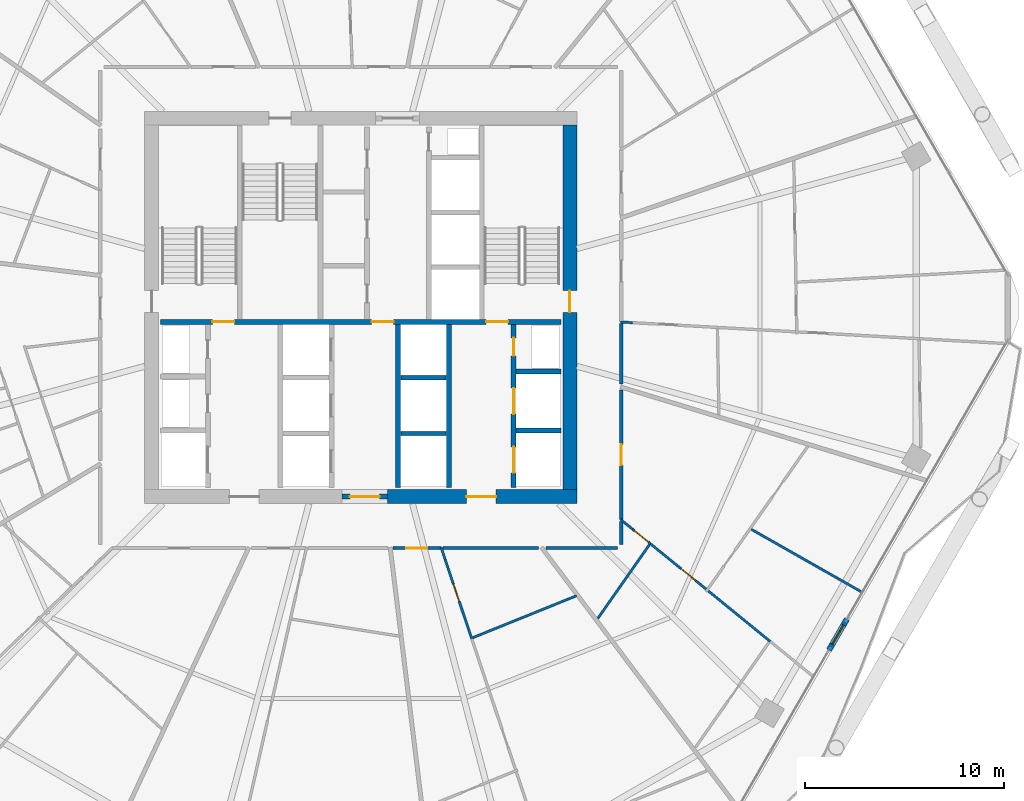
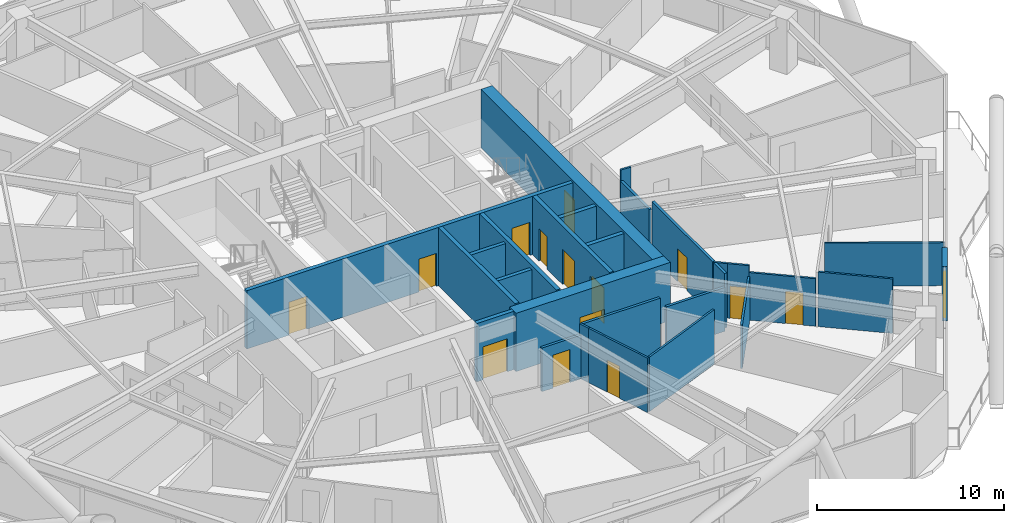
# One storey, part 31 of 36: 28 walls, 15 doors, 15 openings.
"""IFC4 building model written with IfcOpenShell, lengths in metres."""

from ifc_helpers import new_model, si_unit, direction, frame, frame_2d, origin, place, context, subcontext, project, spatial, rectangle, extrude, material, layer, layer_set, type_object, element, fill, save


model = new_model("IFC4")

# Units and contexts
model_context = context("Model", 3, precision=1e-05, world=origin(), true_north=direction((0.0, 1.0)))
body_context = subcontext(model_context, "Body", "Model", "MODEL_VIEW")
ifc_project = project(units=[si_unit("LENGTHUNIT", "METRE"), si_unit("AREAUNIT", "SQUARE_METRE"), si_unit("VOLUMEUNIT", "CUBIC_METRE"), si_unit("PLANEANGLEUNIT", "RADIAN"), si_unit("MASSUNIT", "GRAM", prefix="KILO")], contexts=[model_context])

# Site, building, storey
site_placement = place(None, origin())
site = spatial("IfcSite", under=ifc_project, at=site_placement, CompositionType="ELEMENT")
building_placement = place(site_placement, origin())
building = spatial("IfcBuilding", under=site, at=building_placement, Name="Zuhravey Tower", CompositionType="ELEMENT")
storey_placement = place(building_placement, frame((0.0, 0.0, 107.60009765625)))
storey = spatial("IfcBuildingStorey", under=building, at=storey_placement, Name="L26", CompositionType="ELEMENT", Elevation=107.60009765625)

# Wall, opening, door
ifc_material_1 = material(Name="Concrete C60/75", Category="concrete")
ifc_layer_1 = layer(ifc_material_1, 0.699951171875)
ifc_layer_set_1 = layer_set([ifc_layer_1], Name="Concrete C60/75")
wall_type_1 = type_object("IfcWallType", Name="Core Shear Wall 700", PredefinedType="SHEAR", material=ifc_layer_set_1)
wall_1_placement = place(storey_placement, frame((37.35009765625, 22.5, 0.0), z_axis=(0.0, 0.0, 1.0), x_axis=(1.0, 0.0, 0.0)))
wall_1 = element("IfcWall", 1, at=wall_1_placement, inside=storey, type_object=wall_type_1, Name="L26 South-East Core Shear Wall CW70", PredefinedType="SHEAR", context=body_context, shape_type="SweptSolid", body=[
    extrude(rectangle(XDim=9.5, YDim=0.699951171875, at=frame_2d((4.75, 0.0))), origin(), (0.0, 0.0, 1.0), 3.7998046875),
])
opening_1_placement = place(wall_1_placement, frame((3.949951171875, 0.0, 0.0)))
opening_1 = element("IfcOpeningElement", 2, at=opening_1_placement, cuts=wall_1, Name="Opening FFD1", PredefinedType="OPENING", context=body_context, shape_type="SweptSolid", body=[
    extrude(rectangle(XDim=1.5, YDim=2.14990234375, at=frame_2d((0.75, 1.074951171875))), frame((0.0, 0.362060546875, 0.0), z_axis=(0.0, -1.0, 0.0), x_axis=(1.0, 0.0, 0.0)), (0.0, 0.0, 1.0), 0.723876953125),
])
ifc_material_2 = material(Name="Galvanised fire-rated steel leaf", Category="steel")
door_type_1 = type_object("IfcDoorType", Name="Firefighting Lobby Double Door 1500x2150", OperationType="DOUBLE_DOOR_SINGLE_SWING", PredefinedType="DOOR", material=ifc_material_2)
door_1_placement = place(opening_1_placement, origin())
door_1 = element("IfcDoor", 3, at=door_1_placement, inside=storey, type_object=door_type_1, Name="L26 Firefighting Lobby East Door", OperationType="DOUBLE_DOOR_SINGLE_SWING", OverallHeight=2.14990234375, OverallWidth=1.5, PredefinedType="DOOR", context=body_context, shape_type="SweptSolid", body=[
    extrude(rectangle(XDim=1.5, YDim=2.14990234375, at=frame_2d((0.75, 1.074951171875))), frame((0.0, 0.02490234375, 0.0), z_axis=(0.0, -1.0, 0.0), x_axis=(1.0, 0.0, 0.0)), (0.0, 0.0, 1.0), 0.050048828125),
])
fill(opening_1, door_1)

wall_2_placement = place(storey_placement, frame((46.5, 22.85009765625, 0.0), z_axis=(0.0, 0.0, 1.0), x_axis=(0.0, 1.0, 0.0)))
wall_2 = element("IfcWall", 4, at=wall_2_placement, inside=storey, type_object=wall_type_1, Name="L26 East Core Shear Wall CW70", PredefinedType="SHEAR", context=body_context, shape_type="SweptSolid", body=[
    extrude(rectangle(XDim=18.2998046875, YDim=0.699951171875, at=frame_2d((9.14990234375, 0.0))), origin(), (0.0, 0.0, 1.0), 3.7998046875),
])
opening_2_placement = place(wall_2_placement, frame((8.89990234375, 0.0, 0.0)))
opening_2 = element("IfcOpeningElement", 5, at=opening_2_placement, cuts=wall_2, Name="Opening STD1", PredefinedType="OPENING", context=body_context, shape_type="SweptSolid", body=[
    extrude(rectangle(XDim=1.10009765625, YDim=2.14990234375, at=frame_2d((0.550048828125, 1.074951171875))), frame((0.0, 0.362060546875, 0.0), z_axis=(0.0, -1.0, 0.0), x_axis=(1.0, 0.0, 0.0)), (0.0, 0.0, 1.0), 0.723876953125),
])
door_type_2 = type_object("IfcDoorType", Name="Protected Stair Fire Door 1100x2150", OperationType="NOTDEFINED", PredefinedType="USERDEFINED", material=ifc_material_2)
door_2_placement = place(opening_2_placement, origin())
door_2 = element("IfcDoor", 6, at=door_2_placement, inside=storey, type_object=door_type_2, Name="L26 Stair ST2 Door", ObjectType="EXITDOOR", OperationType="SINGLE_SWING_LEFT", OverallHeight=2.14990234375, OverallWidth=1.10009765625, PredefinedType="USERDEFINED", context=body_context, shape_type="SweptSolid", body=[
    extrude(rectangle(XDim=1.10009765625, YDim=2.14990234375, at=frame_2d((0.550048828125, 1.074951171875))), frame((0.0, 0.02490234375, 0.0), z_axis=(0.0, -1.0, 0.0), x_axis=(1.0, 0.0, 0.0)), (0.0, 0.0, 1.0), 0.050048828125),
])
fill(opening_2, door_2)

ifc_material_3 = material(Name="Gypsum fire-rated stud partition")
ifc_layer_2 = layer(ifc_material_3, 0.159912109375)
ifc_layer_set_2 = layer_set([ifc_layer_2], Name="Gypsum fire-rated stud partition")
wall_type_2 = type_object("IfcWallType", Name="Corridor Fire Partition 160", PredefinedType="PARTITIONING", material=ifc_layer_set_2)
wall_3_placement = place(storey_placement, frame((37.610595703125, 19.919921875, 0.0), z_axis=(0.0, 0.0, 1.0), x_axis=(1.0, 0.0, 0.0)))
wall_3 = element("IfcWall", 7, at=wall_3_placement, inside=storey, type_object=wall_type_2, Name="L26 IW16 Partition 062", PredefinedType="PARTITIONING", context=body_context, shape_type="SweptSolid", body=[
    extrude(rectangle(XDim=2.414794921875, YDim=0.159912109375, at=frame_2d((1.20751953125, 0.0))), origin(), (0.0, 0.0, 1.0), 2.849853515625),
])
opening_3_placement = place(wall_3_placement, frame((0.6826171875, 0.0, 0.0)))
opening_3 = element("IfcOpeningElement", 8, at=opening_3_placement, cuts=wall_3, Name="Opening APD1", PredefinedType="OPENING", context=body_context, shape_type="SweptSolid", body=[
    extrude(rectangle(XDim=1.050048828125, YDim=2.14990234375, at=frame_2d((0.52490234375, 1.074951171875))), frame((0.0, 0.092041015625, 0.0), z_axis=(0.0, -1.0, 0.0), x_axis=(1.0, 0.0, 0.0)), (0.0, 0.0, 1.0), 0.183837890625),
])
ifc_material_4 = material(Name="Solid-core oak fire-rated leaf")
door_type_3 = type_object("IfcDoorType", Name="Apartment Entrance Fire Door 1050x2150", OperationType="NOTDEFINED", PredefinedType="DOOR", material=ifc_material_4)
door_3_placement = place(opening_3_placement, frame((1.050048828125, 0.0, 0.0), z_axis=(0.0, 0.0, 1.0), x_axis=(-1.0, 0.0, 0.0)))
door_3 = element("IfcDoor", 9, at=door_3_placement, inside=storey, type_object=door_type_3, Name="L26 Door 062.1", OperationType="SINGLE_SWING_LEFT", OverallHeight=2.14990234375, OverallWidth=1.050048828125, PredefinedType="DOOR", context=body_context, shape_type="SweptSolid", body=[
    extrude(rectangle(XDim=1.050048828125, YDim=2.14990234375, at=frame_2d((0.52490234375, 1.074951171875))), frame((0.0, 0.02490234375, 0.0), z_axis=(0.0, -1.0, 0.0), x_axis=(1.0, 0.0, 0.0)), (0.0, 0.0, 1.0), 0.050048828125),
])
fill(opening_3, door_3)

wall_4_placement = place(storey_placement, frame((49.080078125, 21.35791015625, 0.0), z_axis=(0.0, 0.0, 1.0), x_axis=(0.0, 1.0, 0.0)))
wall_4 = element("IfcWall", 10, at=wall_4_placement, inside=storey, type_object=wall_type_2, Name="L26 IW16 Partition 068", PredefinedType="PARTITIONING", context=body_context, shape_type="SweptSolid", body=[
    extrude(rectangle(XDim=6.4970703125, YDim=0.159912109375, at=frame_2d((3.24853515625, 0.0))), origin(), (0.0, 0.0, 1.0), 3.5498046875),
])
opening_4_placement = place(wall_4_placement, frame((2.723388671875, 0.0, 0.0)))
opening_4 = element("IfcOpeningElement", 11, at=opening_4_placement, cuts=wall_4, Name="Opening APD1", PredefinedType="OPENING", context=body_context, shape_type="SweptSolid", body=[
    extrude(rectangle(XDim=1.050048828125, YDim=2.14990234375, at=frame_2d((0.52490234375, 1.074951171875))), frame((0.0, 0.092041015625, 0.0), z_axis=(0.0, -1.0, 0.0), x_axis=(1.0, 0.0, 0.0)), (0.0, 0.0, 1.0), 0.183837890625),
])
door_4_placement = place(opening_4_placement, frame((1.050048828125, 0.0, 0.0), z_axis=(0.0, 0.0, 1.0), x_axis=(-1.0, 0.0, 0.0)))
door_4 = element("IfcDoor", 12, at=door_4_placement, inside=storey, type_object=door_type_3, Name="L26 Door 068.1", OperationType="SINGLE_SWING_LEFT", OverallHeight=2.14990234375, OverallWidth=1.050048828125, PredefinedType="DOOR", context=body_context, shape_type="SweptSolid", body=[
    extrude(rectangle(XDim=1.050048828125, YDim=2.14990234375, at=frame_2d((0.52490234375, 1.074951171875))), frame((0.0, 0.02490234375, 0.0), z_axis=(0.0, -1.0, 0.0), x_axis=(1.0, 0.0, 0.0)), (0.0, 0.0, 1.0), 0.050048828125),
])
fill(opening_4, door_4)

# Walls
wall_5_placement = place(storey_placement, frame((40.118408203125, 19.919921875, 0.0), z_axis=(0.0, 0.0, 1.0), x_axis=(1.0, 0.0, 0.0)))
element("IfcWall", 13, at=wall_5_placement, inside=storey, type_object=wall_type_2, Name="L26 IW16 Partition 148", PredefinedType="PARTITIONING", context=body_context, shape_type="SweptSolid", body=[
    extrude(rectangle(XDim=4.79541015625, YDim=0.159912109375, at=frame_2d((2.397705078125, 0.0))), origin(), (0.0, 0.0, 1.0), 3.5498046875),
])
wall_6_placement = place(storey_placement, frame((45.29443359375, 19.919921875, 0.0), z_axis=(0.0, 0.0, 1.0), x_axis=(1.0, 0.0, 0.0)))
element("IfcWall", 14, at=wall_6_placement, inside=storey, type_object=wall_type_2, Name="L26 IW16 Partition 149", PredefinedType="PARTITIONING", context=body_context, shape_type="SweptSolid", body=[
    extrude(rectangle(XDim=3.60546875, YDim=0.159912109375, at=frame_2d((1.802734375, 0.0))), origin(), (0.0, 0.0, 1.0), 2.849853515625),
])
wall_7_placement = place(storey_placement, frame((49.080078125, 20.10009765625, 0.0), z_axis=(0.0, 0.0, 1.0), x_axis=(0.0, 1.0, 0.0)))
element("IfcWall", 15, at=wall_7_placement, inside=storey, type_object=wall_type_2, Name="L26 IW16 Partition 150", PredefinedType="PARTITIONING", context=body_context, shape_type="SweptSolid", body=[
    extrude(rectangle(XDim=1.144287109375, YDim=0.159912109375, at=frame_2d((0.572265625, 0.0))), origin(), (0.0, 0.0, 1.0), 3.5498046875),
])
wall_8_placement = place(storey_placement, frame((49.080078125, 28.146484375, 0.0), z_axis=(0.0, 0.0, 1.0), x_axis=(0.0, 1.0, 0.0)))
element("IfcWall", 16, at=wall_8_placement, inside=storey, type_object=wall_type_2, Name="L26 IW16 Partition 151", PredefinedType="PARTITIONING", context=body_context, shape_type="SweptSolid", body=[
    extrude(rectangle(XDim=3.05419921875, YDim=0.159912109375, at=frame_2d((1.527099609375, 0.0))), origin(), (0.0, 0.0, 1.0), 2.849853515625),
])

# Wall, opening, door
ifc_material_5 = material(Name="Precast concrete C40/50", Category="concrete")
ifc_layer_3 = layer(ifc_material_5, 0.280029296875)
ifc_layer_set_3 = layer_set([ifc_layer_3], Name="Precast concrete C40/50")
wall_type_3 = type_object("IfcWallType", Name="Crown Architectural Wall 280", PredefinedType="SOLIDWALL", material=ifc_layer_set_3)
wall_9_placement = place(storey_placement, frame((60.40478515625, 16.353515625, 0.0), z_axis=(0.0, 0.0, 1.0), x_axis=(-0.499923131819, -0.866069779101, 0.0)))
wall_9 = element("IfcWall", 17, at=wall_9_placement, inside=storey, type_object=wall_type_3, Name="L26 Face 6 Facade Pier EW28-1", PredefinedType="SOLIDWALL", context=body_context, shape_type="SweptSolid", body=[
    extrude(rectangle(XDim=1.790283203125, YDim=0.280029296875, at=frame_2d((0.89501953125, 0.0))), origin(), (0.0, 0.0, 1.0), 3.5498046875),
])
opening_5_placement = place(wall_9_placement, frame((0.344970703125, 0.0, 0.0)))
opening_5 = element("IfcOpeningElement", 18, at=opening_5_placement, cuts=wall_9, Name="Opening BLD1", PredefinedType="OPENING", context=body_context, shape_type="SweptSolid", body=[
    extrude(rectangle(XDim=1.10009765625, YDim=2.199951171875, at=frame_2d((0.550048828125, 1.10009765625))), frame((0.0, 0.152099609375, 0.0), z_axis=(0.0, -1.0, 0.0), x_axis=(1.0, 0.0, 0.0)), (0.0, 0.0, 1.0), 0.303955078125),
])
ifc_material_6 = material(Name="Thermally broken aluminium and low-E glass", Category="aluminium")
door_type_4 = type_object("IfcDoorType", Name="Balcony & Sky-Tray Glazed Door 1100x2200", OperationType="NOTDEFINED", PredefinedType="DOOR", material=ifc_material_6)
door_5_placement = place(opening_5_placement, frame((1.10009765625, 0.0, 0.0), z_axis=(0.0, 0.0, 1.0), x_axis=(-1.0, 0.0, 0.0)))
door_5 = element("IfcDoor", 19, at=door_5_placement, inside=storey, type_object=door_type_4, Name="L26 Face 6 Wave Balcony Door", OperationType="SINGLE_SWING_LEFT", OverallHeight=2.199951171875, OverallWidth=1.10009765625, PredefinedType="DOOR", context=body_context, shape_type="SweptSolid", body=[
    extrude(rectangle(XDim=1.10009765625, YDim=2.199951171875, at=frame_2d((0.550048828125, 1.10009765625))), frame((0.0, 0.02490234375, 0.0), z_axis=(0.0, -1.0, 0.0), x_axis=(1.0, 0.0, 0.0)), (0.0, 0.0, 1.0), 0.050048828125),
])
fill(opening_5, door_5)

ifc_material_7 = material(Name="Concrete C50/60", Category="concrete")
ifc_layer_4 = layer(ifc_material_7, 0.25)
ifc_layer_set_4 = layer_set([ifc_layer_4], Name="Concrete C50/60")
wall_type_4 = type_object("IfcWallType", Name="Firefighting Shaft & Stair Wall 250", PredefinedType="SOLIDWALL", material=ifc_layer_set_4)
wall_10_placement = place(storey_placement, frame((35.06005859375, 22.5, 0.0), z_axis=(0.0, 0.0, 1.0), x_axis=(1.0, 0.0, 0.0)))
wall_10 = element("IfcWall", 20, at=wall_10_placement, inside=storey, type_object=wall_type_4, Name="L26 FW25 Shaft Wall 001", PredefinedType="SOLIDWALL", context=body_context, shape_type="SweptSolid", body=[
    extrude(rectangle(XDim=2.280029296875, YDim=0.25, at=frame_2d((1.14013671875, 0.0))), origin(), (0.0, 0.0, 1.0), 3.7998046875),
])
opening_6_placement = place(wall_10_placement, frame((0.389892578125, 0.0, 0.0)))
opening_6 = element("IfcOpeningElement", 21, at=opening_6_placement, cuts=wall_10, Name="Opening FFD1", PredefinedType="OPENING", context=body_context, shape_type="SweptSolid", body=[
    extrude(rectangle(XDim=1.5, YDim=2.14990234375, at=frame_2d((0.75, 1.074951171875))), frame((0.0, 0.136962890625, 0.0), z_axis=(0.0, -1.0, 0.0), x_axis=(1.0, 0.0, 0.0)), (0.0, 0.0, 1.0), 0.27392578125),
])
door_6_placement = place(opening_6_placement, frame((1.5, 0.0, 0.0), z_axis=(0.0, 0.0, 1.0), x_axis=(-1.0, 0.0, 0.0)))
door_6 = element("IfcDoor", 22, at=door_6_placement, inside=storey, type_object=door_type_1, Name="L26 South Lift Lobby Exit Door", OperationType="DOUBLE_DOOR_SINGLE_SWING", OverallHeight=2.14990234375, OverallWidth=1.5, PredefinedType="DOOR", context=body_context, shape_type="SweptSolid", body=[
    extrude(rectangle(XDim=1.5, YDim=2.14990234375, at=frame_2d((0.75, 1.074951171875))), frame((0.0, 0.02490234375, 0.0), z_axis=(0.0, -1.0, 0.0), x_axis=(1.0, 0.0, 0.0)), (0.0, 0.0, 1.0), 0.050048828125),
])
fill(opening_6, door_6)

# Wall, openings, doors
wall_11_placement = place(storey_placement, frame((25.949951171875, 31.27490234375, 0.0), z_axis=(0.0, 0.0, 1.0), x_axis=(1.0, 0.0, 0.0)))
wall_11 = element("IfcWall", 23, at=wall_11_placement, inside=storey, type_object=wall_type_4, Name="L26 FW25 Shaft Wall 003", PredefinedType="SOLIDWALL", context=body_context, shape_type="SweptSolid", body=[
    extrude(rectangle(XDim=20.10009765625, YDim=0.25, at=frame_2d((10.050048828125, 0.0))), origin(), (0.0, 0.0, 1.0), 3.7998046875),
])
opening_7_placement = place(wall_11_placement, frame((2.60009765625, 0.0, 0.0)))
opening_7 = element("IfcOpeningElement", 24, at=opening_7_placement, cuts=wall_11, Name="Opening STD1", PredefinedType="OPENING", context=body_context, shape_type="SweptSolid", body=[
    extrude(rectangle(XDim=1.10009765625, YDim=2.14990234375, at=frame_2d((0.550048828125, 1.074951171875))), frame((0.0, 0.136962890625, 0.0), z_axis=(0.0, -1.0, 0.0), x_axis=(1.0, 0.0, 0.0)), (0.0, 0.0, 1.0), 0.27392578125),
])
opening_8_placement = place(wall_11_placement, frame((10.60009765625, 0.0, 0.0)))
opening_8 = element("IfcOpeningElement", 25, at=opening_8_placement, cuts=wall_11, Name="Opening STD1", PredefinedType="OPENING", context=body_context, shape_type="SweptSolid", body=[
    extrude(rectangle(XDim=1.10009765625, YDim=2.14990234375, at=frame_2d((0.550048828125, 1.074951171875))), frame((0.0, 0.136962890625, 0.0), z_axis=(0.0, -1.0, 0.0), x_axis=(1.0, 0.0, 0.0)), (0.0, 0.0, 1.0), 0.27392578125),
])
opening_9_placement = place(wall_11_placement, frame((16.35009765625, 0.0, 0.0)))
opening_9 = element("IfcOpeningElement", 26, at=opening_9_placement, cuts=wall_11, Name="Opening STD1", PredefinedType="OPENING", context=body_context, shape_type="SweptSolid", body=[
    extrude(rectangle(XDim=1.10009765625, YDim=2.14990234375, at=frame_2d((0.550048828125, 1.074951171875))), frame((0.0, 0.136962890625, 0.0), z_axis=(0.0, -1.0, 0.0), x_axis=(1.0, 0.0, 0.0)), (0.0, 0.0, 1.0), 0.27392578125),
])
door_7_placement = place(opening_7_placement, origin())
door_7 = element("IfcDoor", 27, at=door_7_placement, inside=storey, type_object=door_type_2, Name="L26 FFL-W to ST1 Door", ObjectType="EXITDOOR", OperationType="SINGLE_SWING_LEFT", OverallHeight=2.14990234375, OverallWidth=1.10009765625, PredefinedType="USERDEFINED", context=body_context, shape_type="SweptSolid", body=[
    extrude(rectangle(XDim=1.10009765625, YDim=2.14990234375, at=frame_2d((0.550048828125, 1.074951171875))), frame((0.0, 0.02490234375, 0.0), z_axis=(0.0, -1.0, 0.0), x_axis=(1.0, 0.0, 0.0)), (0.0, 0.0, 1.0), 0.050048828125),
])
fill(opening_7, door_7)
door_8_placement = place(opening_8_placement, origin())
door_8 = element("IfcDoor", 28, at=door_8_placement, inside=storey, type_object=door_type_2, Name="L26 Core Lobby Link Door", ObjectType="EXITDOOR", OperationType="SINGLE_SWING_RIGHT", OverallHeight=2.14990234375, OverallWidth=1.10009765625, PredefinedType="USERDEFINED", context=body_context, shape_type="SweptSolid", body=[
    extrude(rectangle(XDim=1.10009765625, YDim=2.14990234375, at=frame_2d((0.550048828125, 1.074951171875))), frame((0.0, 0.02490234375, 0.0), z_axis=(0.0, -1.0, 0.0), x_axis=(1.0, 0.0, 0.0)), (0.0, 0.0, 1.0), 0.050048828125),
])
fill(opening_8, door_8)
door_9_placement = place(opening_9_placement, origin())
door_9 = element("IfcDoor", 29, at=door_9_placement, inside=storey, type_object=door_type_2, Name="L26 FFL-E to ST2 Door", ObjectType="EXITDOOR", OperationType="SINGLE_SWING_LEFT", OverallHeight=2.14990234375, OverallWidth=1.10009765625, PredefinedType="USERDEFINED", context=body_context, shape_type="SweptSolid", body=[
    extrude(rectangle(XDim=1.10009765625, YDim=2.14990234375, at=frame_2d((0.550048828125, 1.074951171875))), frame((0.0, 0.02490234375, 0.0), z_axis=(0.0, -1.0, 0.0), x_axis=(1.0, 0.0, 0.0)), (0.0, 0.0, 1.0), 0.050048828125),
])
fill(opening_9, door_9)

# Walls
for number, where, z_axis, x_axis, name in (
    (30, (37.875, 22.949951171875, 0.0), (0.0, 0.0, 1.0), (0.0, 1.0, 0.0), "L26 FW25 Shaft Wall 014"),
    (31, (40.425048828125, 22.949951171875, 0.0), (0.0, 0.0, 1.0), (0.0, 1.0, 0.0), "L26 FW25 Shaft Wall 015"),
):
    element("IfcWall", number, at=place(storey_placement, frame(where, z_axis=z_axis, x_axis=x_axis)), inside=storey, type_object=wall_type_4, Name=name, PredefinedType="SOLIDWALL", context=body_context, shape_type="SweptSolid", body=[
        extrude(rectangle(XDim=8.199951171875, YDim=0.25, at=frame_2d((4.10009765625, 0.0))), origin(), (0.0, 0.0, 1.0), 3.7998046875),
    ])
for number, where, z_axis, x_axis, name in (
    (32, (43.800048828125, 25.824951171875, 0.0), (0.0, 0.0, 1.0), (1.0, 0.0, 0.0), "L26 FW25 Shaft Wall 016"),
    (33, (43.800048828125, 28.77490234375, 0.0), (0.0, 0.0, 1.0), (1.0, 0.0, 0.0), "L26 FW25 Shaft Wall 017"),
):
    element("IfcWall", number, at=place(storey_placement, frame(where, z_axis=z_axis, x_axis=x_axis)), inside=storey, type_object=wall_type_4, Name=name, PredefinedType="SOLIDWALL", context=body_context, shape_type="SweptSolid", body=[
        extrude(rectangle(XDim=2.25, YDim=0.25, at=frame_2d((1.125, 0.0))), origin(), (0.0, 0.0, 1.0), 3.7998046875),
    ])

# Wall, openings, doors
wall_12_placement = place(storey_placement, frame((43.675048828125, 22.949951171875, 0.0), z_axis=(0.0, 0.0, 1.0), x_axis=(0.0, 1.0, 0.0)))
wall_12 = element("IfcWall", 34, at=wall_12_placement, inside=storey, type_object=wall_type_4, Name="L26 FW25 Shaft Wall 018", PredefinedType="SOLIDWALL", context=body_context, shape_type="SweptSolid", body=[
    extrude(rectangle(XDim=8.199951171875, YDim=0.25, at=frame_2d((4.10009765625, 0.0))), origin(), (0.0, 0.0, 1.0), 3.7998046875),
])
opening_10_placement = place(wall_12_placement, frame((0.75, 0.0, 0.0)))
opening_10 = element("IfcOpeningElement", 35, at=opening_10_placement, cuts=wall_12, Name="Opening LD2", PredefinedType="OPENING", context=body_context, shape_type="SweptSolid", body=[
    extrude(rectangle(XDim=1.300048828125, YDim=2.300048828125, at=frame_2d((0.64990234375, 1.14990234375))), frame((0.0, 0.136962890625, 0.0), z_axis=(0.0, -1.0, 0.0), x_axis=(1.0, 0.0, 0.0)), (0.0, 0.0, 1.0), 0.27392578125),
])
opening_11_placement = place(wall_12_placement, frame((3.699951171875, 0.0, 0.0)))
opening_11 = element("IfcOpeningElement", 36, at=opening_11_placement, cuts=wall_12, Name="Opening LD2", PredefinedType="OPENING", context=body_context, shape_type="SweptSolid", body=[
    extrude(rectangle(XDim=1.300048828125, YDim=2.300048828125, at=frame_2d((0.64990234375, 1.14990234375))), frame((0.0, 0.136962890625, 0.0), z_axis=(0.0, -1.0, 0.0), x_axis=(1.0, 0.0, 0.0)), (0.0, 0.0, 1.0), 0.27392578125),
])
opening_12_placement = place(wall_12_placement, frame((6.6201171875, 0.0, 0.0)))
opening_12 = element("IfcOpeningElement", 37, at=opening_12_placement, cuts=wall_12, Name="Opening RSD1", PredefinedType="OPENING", context=body_context, shape_type="SweptSolid", body=[
    extrude(rectangle(XDim=0.89990234375, YDim=2.10009765625, at=frame_2d((0.449951171875, 1.050048828125))), frame((0.0, 0.136962890625, 0.0), z_axis=(0.0, -1.0, 0.0), x_axis=(1.0, 0.0, 0.0)), (0.0, 0.0, 1.0), 0.27392578125),
])
ifc_material_8 = material(Name="Brushed stainless steel", Category="steel")
door_type_5 = type_object("IfcDoorType", Name="Freight & Stretcher Lift Sliding Door 1300x2300", OperationType="DOUBLE_DOOR_SLIDING", PredefinedType="DOOR", material=ifc_material_8)
door_10_placement = place(opening_10_placement, origin())
door_10 = element("IfcDoor", 38, at=door_10_placement, inside=storey, type_object=door_type_5, Name="L26 Lift FF2 Landing Door", OperationType="DOUBLE_DOOR_SLIDING", OverallHeight=2.300048828125, OverallWidth=1.300048828125, PredefinedType="DOOR", context=body_context, shape_type="SweptSolid", body=[
    extrude(rectangle(XDim=1.300048828125, YDim=2.300048828125, at=frame_2d((0.64990234375, 1.14990234375))), frame((0.0, 0.02490234375, 0.0), z_axis=(0.0, -1.0, 0.0), x_axis=(1.0, 0.0, 0.0)), (0.0, 0.0, 1.0), 0.050048828125),
])
fill(opening_10, door_10)
door_11_placement = place(opening_11_placement, origin())
door_11 = element("IfcDoor", 39, at=door_11_placement, inside=storey, type_object=door_type_5, Name="L26 Lift SV1 Landing Door", OperationType="DOUBLE_DOOR_SLIDING", OverallHeight=2.300048828125, OverallWidth=1.300048828125, PredefinedType="DOOR", context=body_context, shape_type="SweptSolid", body=[
    extrude(rectangle(XDim=1.300048828125, YDim=2.300048828125, at=frame_2d((0.64990234375, 1.14990234375))), frame((0.0, 0.02490234375, 0.0), z_axis=(0.0, -1.0, 0.0), x_axis=(1.0, 0.0, 0.0)), (0.0, 0.0, 1.0), 0.050048828125),
])
fill(opening_11, door_11)
ifc_material_9 = material(Name="Galvanised fire-rated steel access leaf", Category="steel")
door_type_6 = type_object("IfcDoorType", Name="Riser & Shaft Access Fire Door 900x2100", OperationType="NOTDEFINED", PredefinedType="DOOR", material=ifc_material_9)
door_12_placement = place(opening_12_placement, origin())
door_12 = element("IfcDoor", 40, at=door_12_placement, inside=storey, type_object=door_type_6, Name="L26 Plumbing Riser Door", OperationType="SINGLE_SWING_RIGHT", OverallHeight=2.10009765625, OverallWidth=0.89990234375, PredefinedType="DOOR", context=body_context, shape_type="SweptSolid", body=[
    extrude(rectangle(XDim=0.89990234375, YDim=2.10009765625, at=frame_2d((0.449951171875, 1.050048828125))), frame((0.0, 0.02490234375, 0.0), z_axis=(0.0, -1.0, 0.0), x_axis=(1.0, 0.0, 0.0)), (0.0, 0.0, 1.0), 0.050048828125),
])
fill(opening_12, door_12)

# Walls
ifc_material_10 = material(Name="Gypsum acoustic stud assembly")
ifc_layer_5 = layer(ifc_material_10, 0.219970703125)
ifc_layer_set_5 = layer_set([ifc_layer_5], Name="Gypsum acoustic stud assembly")
wall_type_5 = type_object("IfcWallType", Name="School Acoustic Compartment Wall 220", PredefinedType="PARTITIONING", material=ifc_layer_set_5)
for number, where, z_axis, x_axis, name in (
    (41, (38.008056640625, 25.675048828125, 0.0), (0.0, 0.0, 1.0), (1.0, 0.0, 0.0), "L26 IW22 Partition 082"),
    (42, (38.008056640625, 28.47509765625, 0.0), (0.0, 0.0, 1.0), (1.0, 0.0, 0.0), "L26 IW22 Partition 083"),
):
    element("IfcWall", number, at=place(storey_placement, frame(where, z_axis=z_axis, x_axis=x_axis)), inside=storey, type_object=wall_type_5, Name=name, PredefinedType="PARTITIONING", context=body_context, shape_type="SweptSolid", body=[
        extrude(rectangle(XDim=2.283935546875, YDim=0.219970703125, at=frame_2d((1.14208984375, 0.0))), origin(), (0.0, 0.0, 1.0), 3.5498046875),
    ])

# Wall, opening, door
ifc_material_11 = material(Name="Gypsum metal-stud partition")
ifc_layer_6 = layer(ifc_material_11, 0.1201171875)
ifc_layer_set_6 = layer_set([ifc_layer_6], Name="Gypsum metal-stud partition")
wall_type_6 = type_object("IfcWallType", Name="Unit Internal Partition 120", PredefinedType="PARTITIONING", material=ifc_layer_set_6)
wall_13_placement = place(storey_placement, frame((40.237548828125, 19.35009765625, 0.0), z_axis=(0.0, 0.0, 1.0), x_axis=(0.317607066426, -0.948222416607, 0.0)))
wall_13 = element("IfcWall", 43, at=wall_13_placement, inside=storey, type_object=wall_type_6, Name="L26 IW12 Partition 058", PredefinedType="PARTITIONING", context=body_context, shape_type="SweptSolid", body=[
    extrude(rectangle(XDim=4.19384765625, YDim=0.1201171875, at=frame_2d((2.096923828125, 0.0))), origin(), (0.0, 0.0, 1.0), 3.5498046875),
])
opening_13_placement = place(wall_13_placement, frame((1.311279296875, 0.0, 0.0)))
opening_13 = element("IfcOpeningElement", 44, at=opening_13_placement, cuts=wall_13, Name="Opening WCD1", PredefinedType="OPENING", context=body_context, shape_type="SweptSolid", body=[
    extrude(rectangle(XDim=0.89990234375, YDim=2.10009765625, at=frame_2d((0.449951171875, 1.050048828125))), frame((0.0, 0.072021484375, 0.0), z_axis=(0.0, -1.0, 0.0), x_axis=(1.0, 0.0, 0.0)), (0.0, 0.0, 1.0), 0.14404296875),
])
ifc_material_12 = material(Name="Moisture-resistant timber leaf", Category="wood")
door_type_7 = type_object("IfcDoorType", Name="Bathroom & WC Internal Door 900x2100", OperationType="NOTDEFINED", PredefinedType="DOOR", material=ifc_material_12)
door_13_placement = place(opening_13_placement, origin())
door_13 = element("IfcDoor", 45, at=door_13_placement, inside=storey, type_object=door_type_7, Name="Apartment L26-09 Bathroom Door", OperationType="SINGLE_SWING_RIGHT", OverallHeight=2.10009765625, OverallWidth=0.89990234375, PredefinedType="DOOR", context=body_context, shape_type="SweptSolid", body=[
    extrude(rectangle(XDim=0.89990234375, YDim=2.10009765625, at=frame_2d((0.449951171875, 1.050048828125))), frame((0.0, 0.02490234375, 0.0), z_axis=(0.0, -1.0, 0.0), x_axis=(1.0, 0.0, 0.0)), (0.0, 0.0, 1.0), 0.050048828125),
])
fill(opening_13, door_13)

wall_14_placement = place(storey_placement, frame((49.64990234375, 20.8671875, 0.0), z_axis=(0.0, 0.0, 1.0), x_axis=(0.775048691625, -0.631901515752, 0.0)))
wall_14 = element("IfcWall", 46, at=wall_14_placement, inside=storey, type_object=wall_type_6, Name="L26 IW12 Partition 064", PredefinedType="PARTITIONING", context=body_context, shape_type="SweptSolid", body=[
    extrude(rectangle(XDim=1.164794921875, YDim=0.1201171875, at=frame_2d((0.58251953125, 0.0))), origin(), (0.0, 0.0, 1.0), 3.5498046875),
])
opening_14_placement = place(wall_14_placement, frame((0.1201171875, 0.0, 0.0)))
opening_14 = element("IfcOpeningElement", 47, at=opening_14_placement, cuts=wall_14, Name="Opening WCD1", PredefinedType="OPENING", context=body_context, shape_type="SweptSolid", body=[
    extrude(rectangle(XDim=0.89990234375, YDim=2.10009765625, at=frame_2d((0.449951171875, 1.050048828125))), frame((0.0, 0.072021484375, 0.0), z_axis=(0.0, -1.0, 0.0), x_axis=(1.0, 0.0, 0.0)), (0.0, 0.0, 1.0), 0.14404296875),
])
door_14_placement = place(opening_14_placement, frame((0.89990234375, 0.0, 0.0), z_axis=(0.0, 0.0, 1.0), x_axis=(-1.0, 0.0, 0.0)))
door_14 = element("IfcDoor", 48, at=door_14_placement, inside=storey, type_object=door_type_7, Name="Apartment L26-10 Bathroom Door", OperationType="SINGLE_SWING_RIGHT", OverallHeight=2.10009765625, OverallWidth=0.89990234375, PredefinedType="DOOR", context=body_context, shape_type="SweptSolid", body=[
    extrude(rectangle(XDim=0.89990234375, YDim=2.10009765625, at=frame_2d((0.449951171875, 1.050048828125))), frame((0.0, 0.02490234375, 0.0), z_axis=(0.0, -1.0, 0.0), x_axis=(1.0, 0.0, 0.0)), (0.0, 0.0, 1.0), 0.050048828125),
])
fill(opening_14, door_14)

wall_15_placement = place(storey_placement, frame((50.552734375, 20.131103515625, 0.0), z_axis=(0.0, 0.0, 1.0), x_axis=(0.7749603795, -0.632009818124, 0.0)))
wall_15 = element("IfcWall", 49, at=wall_15_placement, inside=storey, type_object=wall_type_6, Name="L26 IW12 Partition 065", PredefinedType="PARTITIONING", context=body_context, shape_type="SweptSolid", body=[
    extrude(rectangle(XDim=3.5966796875, YDim=0.1201171875, at=frame_2d((1.79833984375, 0.0))), origin(), (0.0, 0.0, 1.0), 3.099853515625),
])
opening_15_placement = place(wall_15_placement, frame((1.97119140625, 0.0, 0.0)))
opening_15 = element("IfcOpeningElement", 50, at=opening_15_placement, cuts=wall_15, Name="Opening IND1", PredefinedType="OPENING", context=body_context, shape_type="SweptSolid", body=[
    extrude(rectangle(XDim=0.949951171875, YDim=2.10009765625, at=frame_2d((0.47509765625, 1.050048828125))), frame((0.0, 0.072021484375, 0.0), z_axis=(0.0, -1.0, 0.0), x_axis=(1.0, 0.0, 0.0)), (0.0, 0.0, 1.0), 0.14404296875),
])
ifc_material_13 = material(Name="Painted engineered timber leaf", Category="wood")
door_type_8 = type_object("IfcDoorType", Name="Internal Room & Bedroom Door 950x2100", OperationType="NOTDEFINED", PredefinedType="DOOR", material=ifc_material_13)
door_15_placement = place(opening_15_placement, frame((0.949951171875, 0.0, 0.0), z_axis=(0.0, 0.0, 1.0), x_axis=(-1.0, 0.0, 0.0)))
door_15 = element("IfcDoor", 51, at=door_15_placement, inside=storey, type_object=door_type_8, Name="Apartment L26-10 Home Office Door", OperationType="SINGLE_SWING_LEFT", OverallHeight=2.10009765625, OverallWidth=0.949951171875, PredefinedType="DOOR", context=body_context, shape_type="SweptSolid", body=[
    extrude(rectangle(XDim=0.949951171875, YDim=2.10009765625, at=frame_2d((0.47509765625, 1.050048828125))), frame((0.0, 0.02490234375, 0.0), z_axis=(0.0, -1.0, 0.0), x_axis=(1.0, 0.0, 0.0)), (0.0, 0.0, 1.0), 0.050048828125),
])
fill(opening_15, door_15)

# Walls
wall_16_placement = place(storey_placement, frame((53.44580078125, 17.771484375, 0.0), z_axis=(0.0, 0.0, 1.0), x_axis=(0.774958236323, -0.632012446045, 0.0)))
element("IfcWall", 52, at=wall_16_placement, inside=storey, type_object=wall_type_6, Name="L26 IW12 Partition 066", PredefinedType="PARTITIONING", context=body_context, shape_type="SweptSolid", body=[
    extrude(rectangle(XDim=4.01708984375, YDim=0.1201171875, at=frame_2d((2.008544921875, 0.0))), origin(), (0.0, 0.0, 1.0), 3.5498046875),
])
wall_17_placement = place(storey_placement, frame((40.031982421875, 19.963623046875, 0.0), z_axis=(0.0, 0.0, 1.0), x_axis=(0.317698912626, -0.948191647778, 0.0)))
element("IfcWall", 53, at=wall_17_placement, inside=storey, type_object=wall_type_6, Name="L26 IW12 Partition 124", PredefinedType="PARTITIONING", context=body_context, shape_type="SweptSolid", body=[
    extrude(rectangle(XDim=0.64697265625, YDim=0.1201171875, at=frame_2d((0.323486328125, 0.0))), origin(), (0.0, 0.0, 1.0), 3.5498046875),
])
wall_18_placement = place(storey_placement, frame((41.624755859375, 15.422607421875, 0.0), z_axis=(0.0, 0.0, 1.0), x_axis=(0.927188436263, 0.374595253121, 0.0)))
element("IfcWall", 54, at=wall_18_placement, inside=storey, type_object=wall_type_6, Name="L26 IW12 Partition 126", PredefinedType="PARTITIONING", context=body_context, shape_type="SweptSolid", body=[
    extrude(rectangle(XDim=5.6181640625, YDim=0.1201171875, at=frame_2d((2.80908203125, 0.0))), origin(), (0.0, 0.0, 1.0), 3.5498046875),
])
wall_19_placement = place(storey_placement, frame((55.60986328125, 20.8623046875, 0.0), z_axis=(0.0, 0.0, 1.0), x_axis=(0.869533184144, -0.493874520169, 0.0)))
element("IfcWall", 55, at=wall_19_placement, inside=storey, type_object=wall_type_6, Name="L26 IW12 Partition 128", PredefinedType="PARTITIONING", context=body_context, shape_type="SweptSolid", body=[
    extrude(rectangle(XDim=6.437255859375, YDim=0.1201171875, at=frame_2d((3.21875, 0.0))), origin(), (0.0, 0.0, 1.0), 2.7998046875),
])
wall_20_placement = place(storey_placement, frame((49.04833984375, 21.35791015625, 0.0), z_axis=(0.0, 0.0, 1.0), x_axis=(0.774881234923, -0.63210685154, 0.0)))
element("IfcWall", 56, at=wall_20_placement, inside=storey, type_object=wall_type_6, Name="L26 IW12 Partition 129", PredefinedType="PARTITIONING", context=body_context, shape_type="SweptSolid", body=[
    extrude(rectangle(XDim=0.7763671875, YDim=0.1201171875, at=frame_2d((0.38818359375, 0.0))), origin(), (0.0, 0.0, 1.0), 3.5498046875),
])
wall_21_placement = place(storey_placement, frame((47.900634765625, 16.386962890625, 0.0), z_axis=(0.0, 0.0, 1.0), x_axis=(0.573556554724, 0.819165965195, 0.0)))
element("IfcWall", 57, at=wall_21_placement, inside=storey, type_object=wall_type_6, Name="L26 IW12 Partition 131", PredefinedType="PARTITIONING", context=body_context, shape_type="SweptSolid", body=[
    extrude(rectangle(XDim=4.521728515625, YDim=0.1201171875, at=frame_2d((2.2607421875, 0.0))), origin(), (0.0, 0.0, 1.0), 2.849853515625),
])
wall_22_placement = place(storey_placement, frame((49.034912109375, 31.271240234375, 0.0), z_axis=(0.0, 0.0, 1.0), x_axis=(0.998437094127, -0.055887110072, 0.0)))
element("IfcWall", 58, at=wall_22_placement, inside=storey, type_object=wall_type_6, Name="L26 IW12 Partition 134", PredefinedType="PARTITIONING", context=body_context, shape_type="SweptSolid", body=[
    extrude(rectangle(XDim=0.615966796875, YDim=0.1201171875, at=frame_2d((0.30810546875, 0.0))), origin(), (0.0, 0.0, 1.0), 3.5498046875),
])

save(model, "model.ifc")
